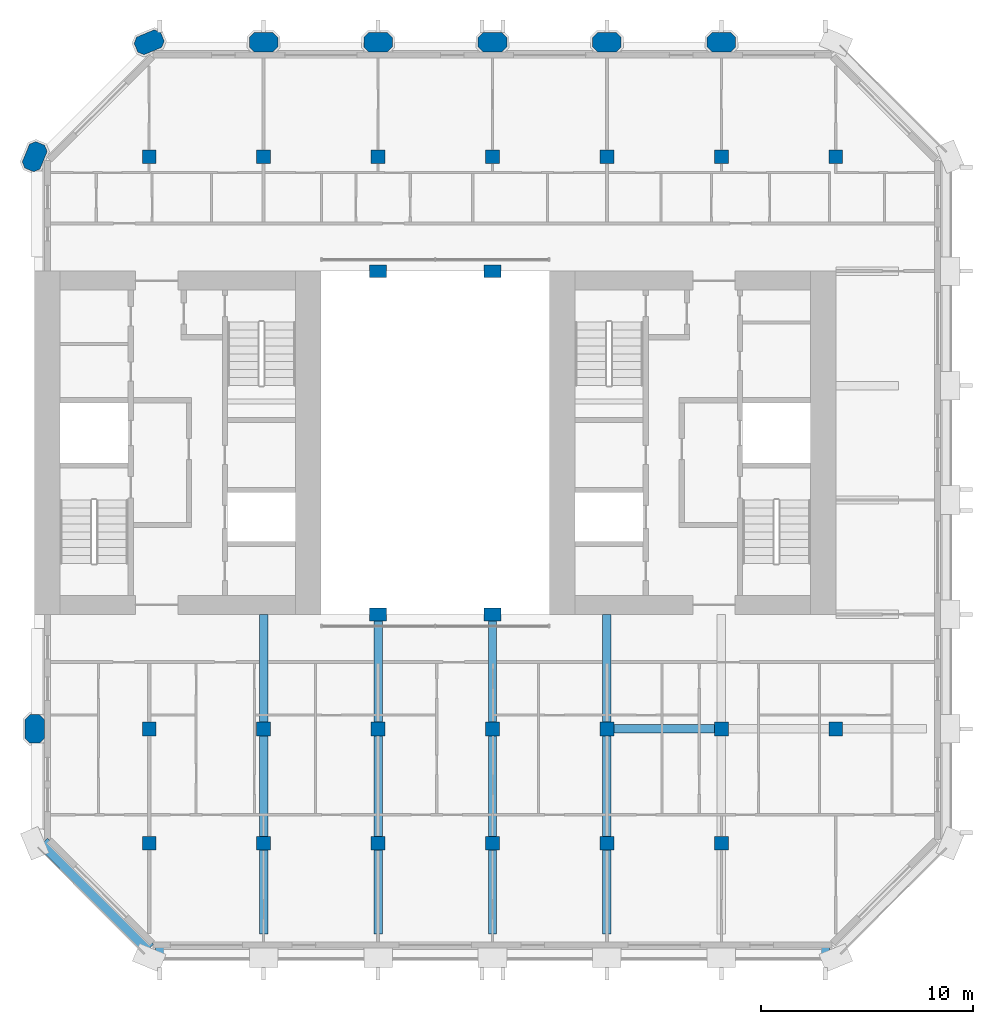
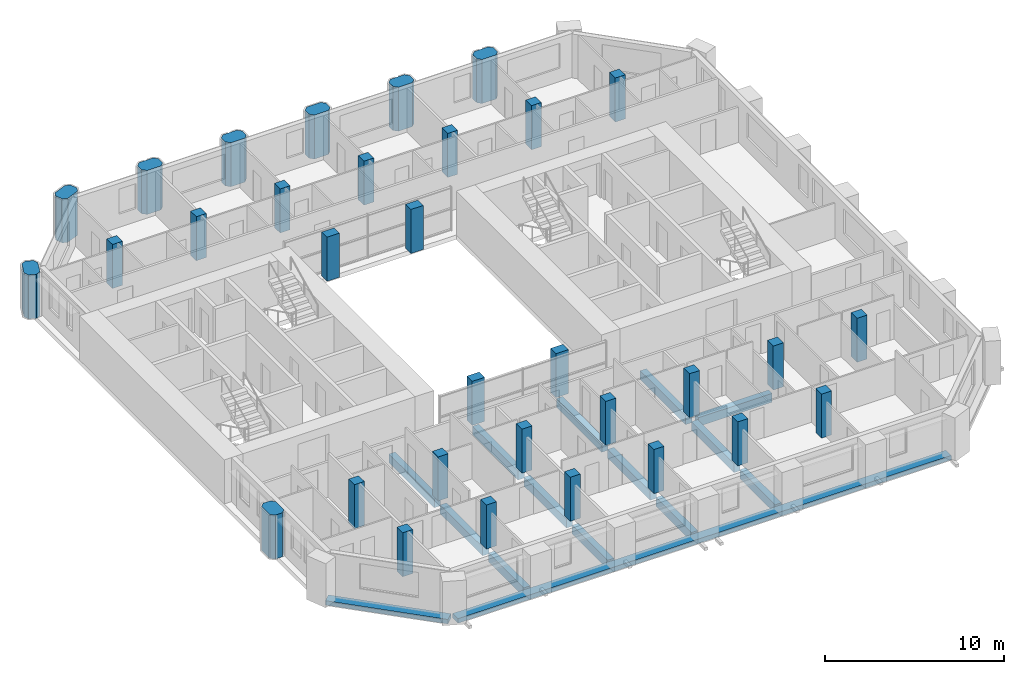
# One storey, part 1 of 13: 32 columns, 15 beams.
"""IFC4 building model written with IfcOpenShell, lengths in metres."""

from ifc_helpers import new_model, si_unit, direction, frame, origin, origin_2d, place, context, subcontext, project, spatial, polyline, rectangle, outline, extrude, material, material_profile, profile_set, type_object, element, save


model = new_model("IFC4")

# Units and contexts
model_context = context("Model", 3, precision=1e-05, world=origin(), true_north=direction((0.0, 1.0)))
body_context = subcontext(model_context, "Body", "Model", "MODEL_VIEW")
ifc_project = project(units=[si_unit("LENGTHUNIT", "METRE"), si_unit("AREAUNIT", "SQUARE_METRE"), si_unit("VOLUMEUNIT", "CUBIC_METRE"), si_unit("PLANEANGLEUNIT", "RADIAN"), si_unit("MASSUNIT", "GRAM", prefix="KILO")], contexts=[model_context])

# Site, building, storey
site_placement = place(None, origin())
site = spatial("IfcSite", under=ifc_project, at=site_placement, CompositionType="ELEMENT")
building_placement = place(site_placement, origin())
building = spatial("IfcBuilding", under=site, at=building_placement, Name="Tabaq Tower and Sports Hall", CompositionType="ELEMENT")
storey_placement = place(building_placement, frame((0.0, 0.0, 271.89990234375)))
storey = spatial("IfcBuildingStorey", under=building, at=storey_placement, Name="L66", CompositionType="ELEMENT", Elevation=271.89990234375)

# Columns
ifc_material_1 = material(Name="Concrete C40/50", Category="concrete")
ifc_material_profile_1 = material_profile(ifc_material_1, rectangle(XDim=0.800048828125, YDim=0.60009765625, at=origin_2d()), Name="ATRIUM COLUMN 800x600")
ifc_profile_set_1 = profile_set([ifc_material_profile_1], Name="Concrete C40/50")
column_type_1 = type_object("IfcColumnType", Name="RC COLUMN ATRIUM COLUMN 800x600 C40/50", PredefinedType="COLUMN", material=ifc_profile_set_1)
for number, where, z_axis, x_axis, name in (
    (1, (21.60009765625, 16.199951171875, 0.0), (0.0, 0.0, 1.0), (1.0, 0.0, 0.0), "Atrium Column 5/D L66"),
    (2, (27.0, 16.199951171875, 0.0), (0.0, 0.0, 1.0), (1.0, 0.0, 0.0), "Atrium Column 6/D L66"),
    (3, (21.60009765625, 32.39990234375, 0.0), (0.0, 0.0, 1.0), (1.0, 0.0, 0.0), "Atrium Column 5/G L66"),
    (4, (27.0, 32.39990234375, 0.0), (0.0, 0.0, 1.0), (1.0, 0.0, 0.0), "Atrium Column 6/G L66"),
):
    element("IfcColumn", number, at=place(storey_placement, frame(where, z_axis=z_axis, x_axis=x_axis)), inside=storey, type_object=column_type_1, Name=name, PredefinedType="COLUMN", context=body_context, shape_type="SweptSolid", body=[
        extrude(rectangle(XDim=0.800048828125, YDim=0.60009765625, at=origin_2d()), origin(), (0.0, 0.0, 1.0), 3.0),
    ])
ifc_material_2 = material(Name="Concrete C40/50", Category="concrete")
ifc_material_profile_2 = material_profile(ifc_material_2, rectangle(XDim=0.64990234375, YDim=0.64990234375, at=origin_2d()), Name="COLUMN 650x650")
ifc_profile_set_2 = profile_set([ifc_material_profile_2], Name="Concrete C40/50")
column_type_2 = type_object("IfcColumnType", Name="RC COLUMN COLUMN 650x650 C40/50", PredefinedType="COLUMN", material=ifc_profile_set_2)
for number, where, z_axis, x_axis, name in (
    (5, (10.800048828125, 5.39990234375, 0.0), (0.0, 0.0, 1.0), (1.0, 0.0, 0.0), "Column 3/B L66"),
    (6, (16.199951171875, 5.39990234375, 0.0), (0.0, 0.0, 1.0), (1.0, 0.0, 0.0), "Column 4/B L66"),
    (7, (21.60009765625, 5.39990234375, 0.0), (0.0, 0.0, 1.0), (1.0, 0.0, 0.0), "Column 5/B L66"),
    (8, (27.0, 5.39990234375, 0.0), (0.0, 0.0, 1.0), (1.0, 0.0, 0.0), "Column 6/B L66"),
    (9, (32.39990234375, 5.39990234375, 0.0), (0.0, 0.0, 1.0), (1.0, 0.0, 0.0), "Column 7/B L66"),
    (10, (37.800048828125, 5.39990234375, 0.0), (0.0, 0.0, 1.0), (1.0, 0.0, 0.0), "Column 8/B L66"),
    (11, (10.800048828125, 10.800048828125, 0.0), (0.0, 0.0, 1.0), (1.0, 0.0, 0.0), "Column 3/C L66"),
    (12, (16.199951171875, 10.800048828125, 0.0), (0.0, 0.0, 1.0), (1.0, 0.0, 0.0), "Column 4/C L66"),
    (13, (21.60009765625, 10.800048828125, 0.0), (0.0, 0.0, 1.0), (1.0, 0.0, 0.0), "Column 5/C L66"),
    (14, (27.0, 10.800048828125, 0.0), (0.0, 0.0, 1.0), (1.0, 0.0, 0.0), "Column 6/C L66"),
    (15, (32.39990234375, 10.800048828125, 0.0), (0.0, 0.0, 1.0), (1.0, 0.0, 0.0), "Column 7/C L66"),
    (16, (37.800048828125, 10.800048828125, 0.0), (0.0, 0.0, 1.0), (1.0, 0.0, 0.0), "Column 8/C L66"),
    (17, (43.199951171875, 10.800048828125, 0.0), (0.0, 0.0, 1.0), (1.0, 0.0, 0.0), "Column 9/C L66"),
    (18, (10.800048828125, 37.800048828125, 0.0), (0.0, 0.0, 1.0), (1.0, 0.0, 0.0), "Column 3/H L66"),
    (19, (16.199951171875, 37.800048828125, 0.0), (0.0, 0.0, 1.0), (1.0, 0.0, 0.0), "Column 4/H L66"),
    (20, (21.60009765625, 37.800048828125, 0.0), (0.0, 0.0, 1.0), (1.0, 0.0, 0.0), "Column 5/H L66"),
    (21, (27.0, 37.800048828125, 0.0), (0.0, 0.0, 1.0), (1.0, 0.0, 0.0), "Column 6/H L66"),
    (22, (32.39990234375, 37.800048828125, 0.0), (0.0, 0.0, 1.0), (1.0, 0.0, 0.0), "Column 7/H L66"),
    (23, (37.800048828125, 37.800048828125, 0.0), (0.0, 0.0, 1.0), (1.0, 0.0, 0.0), "Column 8/H L66"),
    (24, (43.199951171875, 37.800048828125, 0.0), (0.0, 0.0, 1.0), (1.0, 0.0, 0.0), "Column 9/H L66"),
):
    element("IfcColumn", number, at=place(storey_placement, frame(where, z_axis=z_axis, x_axis=x_axis)), inside=storey, type_object=column_type_2, Name=name, PredefinedType="COLUMN", context=body_context, shape_type="SweptSolid", body=[
        extrude(rectangle(XDim=0.64990234375, YDim=0.64990234375, at=origin_2d()), origin(), (0.0, 0.0, 1.0), 3.0),
    ])
ifc_material_3 = material(Name="Concrete C40/50", Category="concrete")
ifc_material_profile_3 = material_profile(ifc_material_3, outline(polyline([(-0.449951171875, -0.449951171875), (0.449951171875, -0.449951171875), (0.675048828125, -0.22509765625), (0.675048828125, 0.22509765625), (0.449951171875, 0.449951171875), (-0.449951171875, 0.449951171875), (-0.675048828125, 0.22509765625), (-0.675048828125, -0.22509765625), (-0.449951171875, -0.449951171875)])), Name="PIER 1350x900")
ifc_profile_set_3 = profile_set([ifc_material_profile_3], Name="Concrete C40/50")
column_type_3 = type_object("IfcColumnType", Name="RC COLUMN PIER 1350x900 C40/50", PredefinedType="COLUMN", material=ifc_profile_set_3)
for number, where, z_axis, x_axis, name in (
    (25, (5.39990234375, 10.800048828125, 0.0), (0.0, 0.0, 1.0), (0.0, 1.0, 0.0), "Pier 2/C L66"),
    (26, (5.39990234375, 37.800048828125, 0.0), (0.0, 0.0, 1.0), (0.382683432365, 0.923879532511, 0.0), "Pier 2/H L66"),
    (27, (10.800048828125, 43.199951171875, 0.0), (0.0, 0.0, 1.0), (0.923879532511, 0.382683432365, 0.0), "Pier 3/I L66"),
    (28, (16.199951171875, 43.199951171875, 0.0), (0.0, 0.0, 1.0), (1.0, 0.0, 0.0), "Pier 4/I L66"),
    (29, (21.60009765625, 43.199951171875, 0.0), (0.0, 0.0, 1.0), (1.0, 0.0, 0.0), "Pier 5/I L66"),
    (30, (27.0, 43.199951171875, 0.0), (0.0, 0.0, 1.0), (1.0, 0.0, 0.0), "Pier 6/I L66"),
    (31, (32.39990234375, 43.199951171875, 0.0), (0.0, 0.0, 1.0), (1.0, 0.0, 0.0), "Pier 7/I L66"),
    (32, (37.800048828125, 43.199951171875, 0.0), (0.0, 0.0, 1.0), (1.0, 0.0, 0.0), "Pier 8/I L66"),
):
    element("IfcColumn", number, at=place(storey_placement, frame(where, z_axis=z_axis, x_axis=x_axis)), inside=storey, type_object=column_type_3, Name=name, PredefinedType="COLUMN", context=body_context, shape_type="SweptSolid", body=[
        extrude(outline(polyline([(-0.449951171875, -0.449951171875), (0.449951171875, -0.449951171875), (0.675048828125, -0.22509765625), (0.675048828125, 0.22509765625), (0.449951171875, 0.449951171875), (-0.449951171875, 0.449951171875), (-0.675048828125, 0.22509765625), (-0.675048828125, -0.22509765625), (-0.449951171875, -0.449951171875)])), origin(), (0.0, 0.0, 1.0), 3.0),
    ])

# Beams
ifc_material_4 = material(Name="Concrete C40/50", Category="concrete")
ifc_material_profile_4 = material_profile(ifc_material_4, rectangle(XDim=0.39990234375, YDim=0.60009765625, at=origin_2d()), Name="CB 400x600")
ifc_profile_set_4 = profile_set([ifc_material_profile_4], Name="Concrete C40/50")
beam_type_1 = type_object("IfcBeamType", Name="PT CANTILEVER BEAM CB 400x600 C40/50", PredefinedType="BEAM", material=ifc_profile_set_4)
beam_1_placement = place(storey_placement, frame((37.47509765625, 10.800048828125, -0.599853515625), z_axis=(-1.0, 0.0, 0.0), x_axis=(0.0, -1.0, 0.0)))
element("IfcBeam", 33, at=beam_1_placement, inside=storey, type_object=beam_type_1, Name="Cantilever Beam L66 E2 span 3", PredefinedType="BEAM", context=body_context, shape_type="SweptSolid", body=[
    extrude(rectangle(XDim=0.39990234375, YDim=0.60009765625, at=origin_2d()), origin(), (0.0, 0.0, 1.0), 4.75),
])
beam_2_placement = place(storey_placement, frame((16.199951171875, 1.125, -0.599853515625), z_axis=(0.0, 1.0, 0.0), x_axis=(-1.0, 0.0, 0.0)))
element("IfcBeam", 34, at=beam_2_placement, inside=storey, type_object=beam_type_1, Name="Cantilever Beam L66 S3 span 1", PredefinedType="BEAM", context=body_context, shape_type="SweptSolid", body=[
    extrude(rectangle(XDim=0.39990234375, YDim=0.60009765625, at=origin_2d()), origin(), (0.0, 0.0, 1.0), 3.949951171875),
])
beam_3_placement = place(storey_placement, frame((16.199951171875, 5.72509765625, -0.599853515625), z_axis=(0.0, 1.0, 0.0), x_axis=(-1.0, 0.0, 0.0)))
element("IfcBeam", 35, at=beam_3_placement, inside=storey, type_object=beam_type_1, Name="Cantilever Beam L66 S3 span 2", PredefinedType="BEAM", context=body_context, shape_type="SweptSolid", body=[
    extrude(rectangle(XDim=0.39990234375, YDim=0.60009765625, at=origin_2d()), origin(), (0.0, 0.0, 1.0), 4.75),
])
beam_4_placement = place(storey_placement, frame((16.199951171875, 11.125, -0.599853515625), z_axis=(0.0, 1.0, 0.0), x_axis=(-1.0, 0.0, 0.0)))
element("IfcBeam", 36, at=beam_4_placement, inside=storey, type_object=beam_type_1, Name="Cantilever Beam L66 S3 span 3", PredefinedType="BEAM", context=body_context, shape_type="SweptSolid", body=[
    extrude(rectangle(XDim=0.39990234375, YDim=0.60009765625, at=origin_2d()), origin(), (0.0, 0.0, 1.0), 5.074951171875),
])
beam_5_placement = place(storey_placement, frame((21.60009765625, 1.125, -0.599853515625), z_axis=(0.0, 1.0, 0.0), x_axis=(-1.0, 0.0, 0.0)))
element("IfcBeam", 37, at=beam_5_placement, inside=storey, type_object=beam_type_1, Name="Cantilever Beam L66 S4 span 1", PredefinedType="BEAM", context=body_context, shape_type="SweptSolid", body=[
    extrude(rectangle(XDim=0.39990234375, YDim=0.60009765625, at=origin_2d()), origin(), (0.0, 0.0, 1.0), 3.949951171875),
])
beam_6_placement = place(storey_placement, frame((21.60009765625, 5.72509765625, -0.599853515625), z_axis=(0.0, 1.0, 0.0), x_axis=(-1.0, 0.0, 0.0)))
element("IfcBeam", 38, at=beam_6_placement, inside=storey, type_object=beam_type_1, Name="Cantilever Beam L66 S4 span 2", PredefinedType="BEAM", context=body_context, shape_type="SweptSolid", body=[
    extrude(rectangle(XDim=0.39990234375, YDim=0.60009765625, at=origin_2d()), origin(), (0.0, 0.0, 1.0), 4.75),
])
beam_7_placement = place(storey_placement, frame((21.60009765625, 11.125, -0.599853515625), z_axis=(0.0, 1.0, 0.0), x_axis=(-1.0, 0.0, 0.0)))
element("IfcBeam", 39, at=beam_7_placement, inside=storey, type_object=beam_type_1, Name="Cantilever Beam L66 S4 span 3", PredefinedType="BEAM", context=body_context, shape_type="SweptSolid", body=[
    extrude(rectangle(XDim=0.39990234375, YDim=0.60009765625, at=origin_2d()), origin(), (0.0, 0.0, 1.0), 5.074951171875),
])
beam_8_placement = place(storey_placement, frame((27.0, 1.125, -0.599853515625), z_axis=(0.0, 1.0, 0.0), x_axis=(-1.0, 0.0, 0.0)))
element("IfcBeam", 40, at=beam_8_placement, inside=storey, type_object=beam_type_1, Name="Cantilever Beam L66 S5 span 1", PredefinedType="BEAM", context=body_context, shape_type="SweptSolid", body=[
    extrude(rectangle(XDim=0.39990234375, YDim=0.60009765625, at=origin_2d()), origin(), (0.0, 0.0, 1.0), 3.949951171875),
])
beam_9_placement = place(storey_placement, frame((27.0, 5.72509765625, -0.599853515625), z_axis=(0.0, 1.0, 0.0), x_axis=(-1.0, 0.0, 0.0)))
element("IfcBeam", 41, at=beam_9_placement, inside=storey, type_object=beam_type_1, Name="Cantilever Beam L66 S5 span 2", PredefinedType="BEAM", context=body_context, shape_type="SweptSolid", body=[
    extrude(rectangle(XDim=0.39990234375, YDim=0.60009765625, at=origin_2d()), origin(), (0.0, 0.0, 1.0), 4.75),
])
beam_10_placement = place(storey_placement, frame((27.0, 11.125, -0.599853515625), z_axis=(0.0, 1.0, 0.0), x_axis=(-1.0, 0.0, 0.0)))
element("IfcBeam", 42, at=beam_10_placement, inside=storey, type_object=beam_type_1, Name="Cantilever Beam L66 S5 span 3", PredefinedType="BEAM", context=body_context, shape_type="SweptSolid", body=[
    extrude(rectangle(XDim=0.39990234375, YDim=0.60009765625, at=origin_2d()), origin(), (0.0, 0.0, 1.0), 5.074951171875),
])
beam_11_placement = place(storey_placement, frame((32.39990234375, 1.125, -0.599853515625), z_axis=(0.0, 1.0, 0.0), x_axis=(-1.0, 0.0, 0.0)))
element("IfcBeam", 43, at=beam_11_placement, inside=storey, type_object=beam_type_1, Name="Cantilever Beam L66 S6 span 1", PredefinedType="BEAM", context=body_context, shape_type="SweptSolid", body=[
    extrude(rectangle(XDim=0.39990234375, YDim=0.60009765625, at=origin_2d()), origin(), (0.0, 0.0, 1.0), 3.949951171875),
])
beam_12_placement = place(storey_placement, frame((32.39990234375, 5.72509765625, -0.599853515625), z_axis=(0.0, 1.0, 0.0), x_axis=(-1.0, 0.0, 0.0)))
element("IfcBeam", 44, at=beam_12_placement, inside=storey, type_object=beam_type_1, Name="Cantilever Beam L66 S6 span 2", PredefinedType="BEAM", context=body_context, shape_type="SweptSolid", body=[
    extrude(rectangle(XDim=0.39990234375, YDim=0.60009765625, at=origin_2d()), origin(), (0.0, 0.0, 1.0), 4.75),
])
beam_13_placement = place(storey_placement, frame((32.39990234375, 11.125, -0.599853515625), z_axis=(0.0, 1.0, 0.0), x_axis=(-1.0, 0.0, 0.0)))
element("IfcBeam", 45, at=beam_13_placement, inside=storey, type_object=beam_type_1, Name="Cantilever Beam L66 S6 span 3", PredefinedType="BEAM", context=body_context, shape_type="SweptSolid", body=[
    extrude(rectangle(XDim=0.39990234375, YDim=0.60009765625, at=origin_2d()), origin(), (0.0, 0.0, 1.0), 5.074951171875),
])
ifc_material_5 = material(Name="Concrete C40/50", Category="concrete")
ifc_material_profile_5 = material_profile(ifc_material_5, rectangle(XDim=0.60009765625, YDim=0.300048828125, at=origin_2d()), Name="EB 600x300")
ifc_profile_set_5 = profile_set([ifc_material_profile_5], Name="Concrete C40/50")
beam_type_2 = type_object("IfcBeamType", Name="PT EDGE BEAM EB 600x300 C40/50", PredefinedType="SPANDREL", material=ifc_profile_set_5)
beam_14_placement = place(storey_placement, frame((11.0986328125, 0.300048828125, -0.14990234375), z_axis=(1.0, 0.0, 0.0), x_axis=(0.0, 1.0, 0.0)))
element("IfcBeam", 46, at=beam_14_placement, inside=storey, type_object=beam_type_2, Name="Edge Beam L66 1", PredefinedType="SPANDREL", context=body_context, shape_type="SweptSolid", body=[
    extrude(rectangle(XDim=0.60009765625, YDim=0.300048828125, at=origin_2d()), origin(), (0.0, 0.0, 1.0), 31.802734375),
])
beam_15_placement = place(storey_placement, frame((5.788818359375, 5.435302734375, -0.14990234375), z_axis=(0.707124002701, -0.707089559252, 0.0), x_axis=(0.707089559252, 0.707124002701, 0.0)))
element("IfcBeam", 47, at=beam_15_placement, inside=storey, type_object=beam_type_2, Name="Edge Beam L66 5", PredefinedType="SPANDREL", context=body_context, shape_type="SweptSolid", body=[
    extrude(rectangle(XDim=0.60009765625, YDim=0.300048828125, at=origin_2d()), origin(), (0.0, 0.0, 1.0), 7.088134765625),
])

save(model, "model.ifc")
